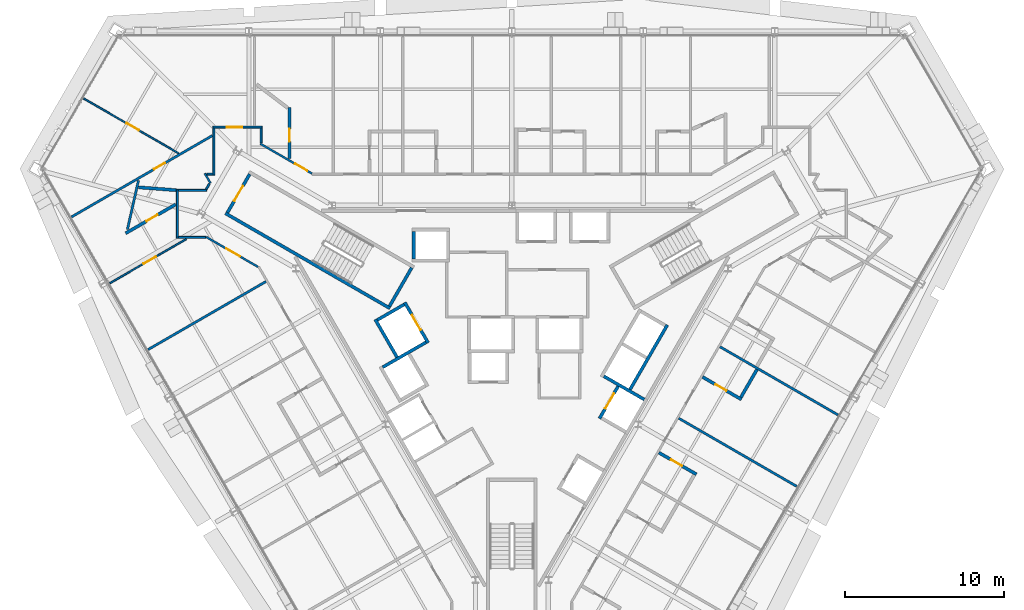
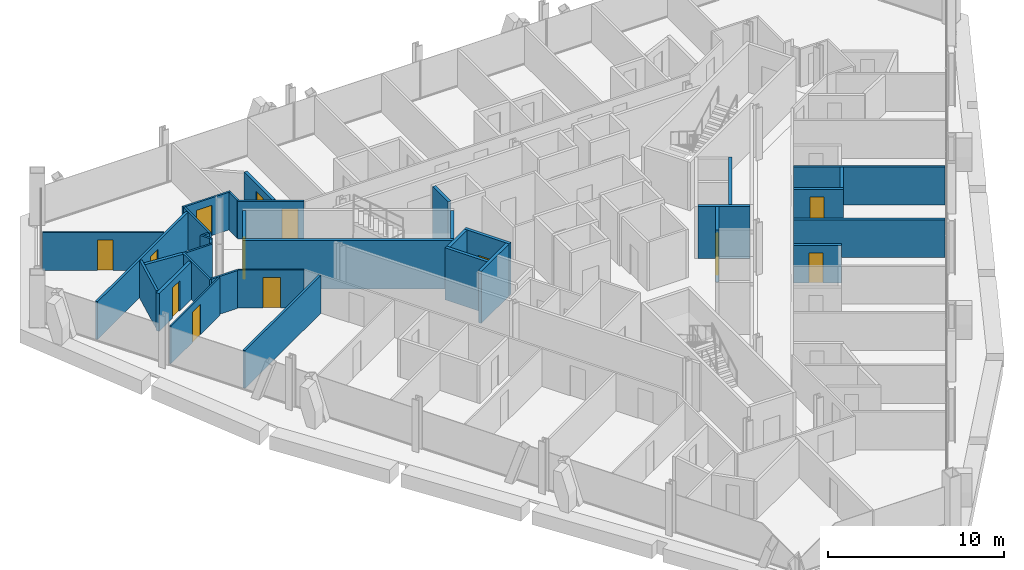
# One storey, part 12 of 17: 35 walls, 13 doors, 13 openings.
"""IFC4 building model written with IfcOpenShell, lengths in metres."""

from ifc_helpers import new_model, si_unit, direction, frame, frame_2d, origin, place, context, subcontext, project, spatial, rectangle, extrude, material, layer, layer_set, type_object, element, fill, save


model = new_model("IFC4")

# Units and contexts
model_context = context("Model", 3, precision=1e-05, world=origin(), true_north=direction((0.0, 1.0)))
body_context = subcontext(model_context, "Body", "Model", "MODEL_VIEW")
ifc_project = project(units=[si_unit("LENGTHUNIT", "METRE"), si_unit("AREAUNIT", "SQUARE_METRE"), si_unit("VOLUMEUNIT", "CUBIC_METRE"), si_unit("PLANEANGLEUNIT", "RADIAN"), si_unit("MASSUNIT", "GRAM", prefix="KILO")], contexts=[model_context])

# Site, building, storey
site_placement = place(None, origin())
site = spatial("IfcSite", under=ifc_project, at=site_placement, CompositionType="ELEMENT")
building_placement = place(site_placement, origin())
building = spatial("IfcBuilding", under=site, at=building_placement, Name="Verrane Prism Tower", CompositionType="ELEMENT")
storey_placement = place(building_placement, frame((0.0, 0.0, 136.0)))
storey = spatial("IfcBuildingStorey", under=building, at=storey_placement, Name="L33", CompositionType="ELEMENT", Elevation=136.0)

# Wall, opening, door
ifc_material_1 = material(Name="Concrete C40/50", Category="concrete")
ifc_layer_1 = layer(ifc_material_1, 0.199951171875)
ifc_layer_set_1 = layer_set([ifc_layer_1], Name="CW-200 stair core wall concrete C40/50 3 h")
wall_type_1 = type_object("IfcWallType", Name="CW-200 stair core wall concrete C40/50 3 h", PredefinedType="PARTITIONING", material=ifc_layer_set_1)
wall_1_placement = place(storey_placement, frame((-16.533935546875, 11.162353515625, 0.0), z_axis=(0.0, 0.0, 1.0), x_axis=(-0.49998411664, -0.866034573852, 0.0)))
wall_1 = element("IfcWall", 1, at=wall_1_placement, inside=storey, type_object=wall_type_1, Name="Stair 2 enclosure wall", PredefinedType="PARTITIONING", context=body_context, shape_type="SweptSolid", body=[
    extrude(rectangle(XDim=2.7998046875, YDim=0.199951171875, at=frame_2d((1.39990234375, 0.0))), origin(), (0.0, 0.0, 1.0), 3.35009765625),
])
opening_1_placement = place(wall_1_placement, frame((0.849853515625, 0.0, 0.0)))
opening_1 = element("IfcOpeningElement", 2, at=opening_1_placement, cuts=wall_1, Name="Opening D32501", PredefinedType="OPENING", context=body_context, shape_type="SweptSolid", body=[
    extrude(rectangle(XDim=1.10009765625, YDim=2.10009765625, at=frame_2d((0.550048828125, 1.050048828125))), frame((0.0, 0.10986328125, 0.0), z_axis=(0.0, -1.0, 0.0), x_axis=(1.0, 0.0, 0.0)), (0.0, 0.0, 1.0), 0.219970703125),
])
ifc_material_2 = material(Name="Timber veneered door leaf", Category="wood")
door_type_1 = type_object("IfcDoorType", Name="DR-1100x2100 FD90 single leaf stair", OperationType="NOTDEFINED", PredefinedType="DOOR", material=ifc_material_2)
door_1_placement = place(opening_1_placement, origin())
door_1 = element("IfcDoor", 3, at=door_1_placement, inside=storey, type_object=door_type_1, Name="Stair 2 door", OperationType="SINGLE_SWING_RIGHT", OverallHeight=2.10009765625, OverallWidth=1.10009765625, PredefinedType="DOOR", context=body_context, shape_type="SweptSolid", body=[
    extrude(rectangle(XDim=1.10009765625, YDim=2.10009765625, at=frame_2d((0.550048828125, 1.050048828125))), frame((0.0, 0.02490234375, 0.0), z_axis=(0.0, -1.0, 0.0), x_axis=(1.0, 0.0, 0.0)), (0.0, 0.0, 1.0), 0.050048828125),
])
fill(opening_1, door_1)

# Walls
wall_2_placement = place(storey_placement, frame((-7.67822265625, 2.700927734375, 0.0), z_axis=(0.0, 0.0, 1.0), x_axis=(-0.866026010844, 0.49999894854, 0.0)))
element("IfcWall", 4, at=wall_2_placement, inside=storey, type_object=wall_type_1, Name="Stair 2 enclosure wall", PredefinedType="PARTITIONING", context=body_context, shape_type="SweptSolid", body=[
    extrude(rectangle(XDim=12.0, YDim=0.199951171875, at=frame_2d((6.0, 0.0))), origin(), (0.0, 0.0, 1.0), 3.35009765625),
])
wall_3_placement = place(storey_placement, frame((-6.314697265625, 5.262451171875, 0.0), z_axis=(0.0, 0.0, 1.0), x_axis=(-0.500049511043, -0.865996816683, 0.0)))
element("IfcWall", 5, at=wall_3_placement, inside=storey, type_object=wall_type_1, Name="Stair 2 enclosure wall", PredefinedType="PARTITIONING", context=body_context, shape_type="SweptSolid", body=[
    extrude(rectangle(XDim=2.800048828125, YDim=0.199951171875, at=frame_2d((1.39990234375, 0.0))), origin(), (0.0, 0.0, 1.0), 3.35009765625),
])
ifc_material_3 = material(Name="Gypsum board shaft wall assembly", Category="other")
ifc_layer_2 = layer(ifc_material_3, 0.199951171875)
ifc_layer_set_2 = layer_set([ifc_layer_2], Name="HW-200 lift shaft wall 2 h")
wall_type_2 = type_object("IfcWallType", Name="HW-200 lift shaft wall 2 h", PredefinedType="PARTITIONING", material=ifc_layer_set_2)
wall_4_placement = place(storey_placement, frame((-8.14453125, -1.012939453125, 0.0), z_axis=(0.0, 0.0, 1.0), x_axis=(0.866016494683, 0.500015430699, 0.0)))
element("IfcWall", 6, at=wall_4_placement, inside=storey, type_object=wall_type_2, Name="Lift shaft wall", PredefinedType="PARTITIONING", context=body_context, shape_type="SweptSolid", body=[
    extrude(rectangle(XDim=3.14990234375, YDim=0.199951171875, at=frame_2d((1.574951171875, 0.0))), origin(), (0.0, 0.0, 1.0), 3.60009765625),
])
wall_5_placement = place(storey_placement, frame((-8.48046875, 1.968505859375, 0.0), z_axis=(0.0, 0.0, 1.0), x_axis=(0.866000020948, 0.500043961785, 0.0)))
element("IfcWall", 7, at=wall_5_placement, inside=storey, type_object=wall_type_2, Name="Lift shaft wall", PredefinedType="PARTITIONING", context=body_context, shape_type="SweptSolid", body=[
    extrude(rectangle(XDim=1.949951171875, YDim=0.199951171875, at=frame_2d((0.97509765625, 0.0))), origin(), (0.0, 0.0, 1.0), 3.60009765625),
])
wall_6_placement = place(storey_placement, frame((7.451171875, -2.4140625, 0.0), z_axis=(0.0, 0.0, 1.0), x_axis=(0.500016218704, 0.866016039709, 0.0)))
element("IfcWall", 8, at=wall_6_placement, inside=storey, type_object=wall_type_2, Name="Lift shaft wall", PredefinedType="PARTITIONING", context=body_context, shape_type="SweptSolid", body=[
    extrude(rectangle(XDim=4.699951171875, YDim=0.199951171875, at=frame_2d((2.35009765625, 0.0))), origin(), (0.0, 0.0, 1.0), 3.60009765625),
])

# Wall, opening, door
wall_7_placement = place(storey_placement, frame((5.52685546875, -4.247314453125, 0.0), z_axis=(0.0, 0.0, 1.0), x_axis=(0.499938297808, 0.866061024631, 0.0)))
wall_7 = element("IfcWall", 9, at=wall_7_placement, inside=storey, type_object=wall_type_2, Name="Lift shaft wall", PredefinedType="PARTITIONING", context=body_context, shape_type="SweptSolid", body=[
    extrude(rectangle(XDim=2.349853515625, YDim=0.199951171875, at=frame_2d((1.1748046875, 0.0))), origin(), (0.0, 0.0, 1.0), 3.60009765625),
])
opening_2_placement = place(wall_7_placement, frame((0.72509765625, 0.0, 0.0)))
opening_2 = element("IfcOpeningElement", 10, at=opening_2_placement, cuts=wall_7, Name="Opening D32507", PredefinedType="OPENING", context=body_context, shape_type="SweptSolid", body=[
    extrude(rectangle(XDim=1.10009765625, YDim=2.10009765625, at=frame_2d((0.550048828125, 1.050048828125))), frame((0.0, 0.10986328125, 0.0), z_axis=(0.0, -1.0, 0.0), x_axis=(1.0, 0.0, 0.0)), (0.0, 0.0, 1.0), 0.219970703125),
])
ifc_material_4 = material(Name="Stainless steel sliding landing door", Category="steel")
door_type_2 = type_object("IfcDoorType", Name="LD-1100x2100 lift landing door FD90 sliding", OperationType="NOTDEFINED", PredefinedType="DOOR", material=ifc_material_4)
door_2_placement = place(opening_2_placement, origin())
door_2 = element("IfcDoor", 11, at=door_2_placement, inside=storey, type_object=door_type_2, Name="Bank A lift 5 landing door", OperationType="SLIDING_TO_LEFT", OverallHeight=2.10009765625, OverallWidth=1.10009765625, PredefinedType="DOOR", context=body_context, shape_type="SweptSolid", body=[
    extrude(rectangle(XDim=1.10009765625, YDim=2.10009765625, at=frame_2d((0.550048828125, 1.050048828125))), frame((0.0, 0.02490234375, 0.0), z_axis=(0.0, -1.0, 0.0), x_axis=(1.0, 0.0, 0.0)), (0.0, 0.0, 1.0), 0.050048828125),
])
fill(opening_2, door_2)

# Wall
wall_8_placement = place(storey_placement, frame((-6.18505859375, 5.81005859375, 0.0), z_axis=(0.0, 0.0, 1.0), x_axis=(0.0, 1.0, 0.0)))
element("IfcWall", 12, at=wall_8_placement, inside=storey, type_object=wall_type_2, Name="Lift shaft wall", PredefinedType="PARTITIONING", context=body_context, shape_type="SweptSolid", body=[
    extrude(rectangle(XDim=1.75, YDim=0.199951171875, at=frame_2d((0.875, 0.0))), origin(), (0.0, 0.0, 1.0), 3.60009765625),
])

# Wall, opening, door
wall_9_placement = place(storey_placement, frame((-5.280029296875, 0.525390625, 0.0), z_axis=(0.0, 0.0, 1.0), x_axis=(-0.500037662692, 0.866003658127, 0.0)))
wall_9 = element("IfcWall", 13, at=wall_9_placement, inside=storey, type_object=wall_type_2, Name="Lift shaft wall", PredefinedType="PARTITIONING", context=body_context, shape_type="SweptSolid", body=[
    extrude(rectangle(XDim=2.949951171875, YDim=0.199951171875, at=frame_2d((1.47509765625, 0.0))), origin(), (0.0, 0.0, 1.0), 3.60009765625),
])
opening_3_placement = place(wall_9_placement, frame((0.925048828125, 0.0, 0.0)))
opening_3 = element("IfcOpeningElement", 14, at=opening_3_placement, cuts=wall_9, Name="Opening D32510", PredefinedType="OPENING", context=body_context, shape_type="SweptSolid", body=[
    extrude(rectangle(XDim=1.10009765625, YDim=2.10009765625, at=frame_2d((0.550048828125, 1.050048828125))), frame((0.0, 0.10986328125, 0.0), z_axis=(0.0, -1.0, 0.0), x_axis=(1.0, 0.0, 0.0)), (0.0, 0.0, 1.0), 0.219970703125),
])
door_3_placement = place(opening_3_placement, origin())
door_3 = element("IfcDoor", 15, at=door_3_placement, inside=storey, type_object=door_type_2, Name="Service lift 1 landing door", OperationType="SLIDING_TO_LEFT", OverallHeight=2.10009765625, OverallWidth=1.10009765625, PredefinedType="DOOR", context=body_context, shape_type="SweptSolid", body=[
    extrude(rectangle(XDim=1.10009765625, YDim=2.10009765625, at=frame_2d((0.550048828125, 1.050048828125))), frame((0.0, 0.02490234375, 0.0), z_axis=(0.0, -1.0, 0.0), x_axis=(1.0, 0.0, 0.0)), (0.0, 0.0, 1.0), 0.050048828125),
])
fill(opening_3, door_3)

# Walls
wall_10_placement = place(storey_placement, frame((-7.241943359375, -0.37646484375, 0.0), z_axis=(0.0, 0.0, 1.0), x_axis=(-0.499996545922, 0.866027397988, 0.0)))
element("IfcWall", 16, at=wall_10_placement, inside=storey, type_object=wall_type_2, Name="Lift shaft wall", PredefinedType="PARTITIONING", context=body_context, shape_type="SweptSolid", body=[
    extrude(rectangle(XDim=2.75, YDim=0.199951171875, at=frame_2d((1.375, 0.0))), origin(), (0.0, 0.0, 1.0), 3.60009765625),
])
wall_11_placement = place(storey_placement, frame((8.35400390625, -3.050537109375, 0.0), z_axis=(0.0, 0.0, 1.0), x_axis=(-0.866060182126, 0.499939757307, 0.0)))
element("IfcWall", 17, at=wall_11_placement, inside=storey, type_object=wall_type_2, Name="Lift shaft wall", PredefinedType="PARTITIONING", context=body_context, shape_type="SweptSolid", body=[
    extrude(rectangle(XDim=2.949951171875, YDim=0.199951171875, at=frame_2d((1.47509765625, 0.0))), origin(), (0.0, 0.0, 1.0), 3.60009765625),
])

# Wall, opening, door
ifc_material_5 = material(Name="Gypsum board partition", Category="other")
ifc_layer_3 = layer(ifc_material_5, 0.10009765625)
ifc_layer_set_3 = layer_set([ifc_layer_3], Name="PW-100 room partition")
wall_type_3 = type_object("IfcWallType", Name="PW-100 room partition", PredefinedType="PARTITIONING", material=ifc_layer_set_3)
wall_12_placement = place(storey_placement, frame((-21.01708984375, 12.480712890625, 0.0), z_axis=(0.0, 0.0, 1.0), x_axis=(-0.866004044806, 0.500036993012, 0.0)))
wall_12 = element("IfcWall", 18, at=wall_12_placement, inside=storey, type_object=wall_type_3, Name="Room partition 002", PredefinedType="PARTITIONING", context=body_context, shape_type="SweptSolid", body=[
    extrude(rectangle(XDim=6.89794921875, YDim=0.10009765625, at=frame_2d((3.448974609375, 0.0))), origin(), (0.0, 0.0, 1.0), 2.613037109375),
])
opening_4_placement = place(wall_12_placement, frame((2.89404296875, 0.0, 0.0)))
opening_4 = element("IfcOpeningElement", 19, at=opening_4_placement, cuts=wall_12, Name="Opening D32032", PredefinedType="OPENING", context=body_context, shape_type="SweptSolid", body=[
    extrude(rectangle(XDim=0.89990234375, YDim=2.10009765625, at=frame_2d((0.449951171875, 1.050048828125))), frame((0.0, 0.06005859375, 0.0), z_axis=(0.0, -1.0, 0.0), x_axis=(1.0, 0.0, 0.0)), (0.0, 0.0, 1.0), 0.1201171875),
])
ifc_material_6 = material(Name="Timber veneered door leaf", Category="wood")
door_type_3 = type_object("IfcDoorType", Name="DR-900x2100 single leaf inner", OperationType="NOTDEFINED", PredefinedType="DOOR", material=ifc_material_6)
door_4_placement = place(opening_4_placement, origin())
door_4 = element("IfcDoor", 20, at=door_4_placement, inside=storey, type_object=door_type_3, Name="Suite Living Room door", OperationType="SINGLE_SWING_LEFT", OverallHeight=2.10009765625, OverallWidth=0.89990234375, PredefinedType="DOOR", context=body_context, shape_type="SweptSolid", body=[
    extrude(rectangle(XDim=0.89990234375, YDim=2.10009765625, at=frame_2d((0.449951171875, 1.050048828125))), frame((0.0, 0.02490234375, 0.0), z_axis=(0.0, -1.0, 0.0), x_axis=(1.0, 0.0, 0.0)), (0.0, 0.0, 1.0), 0.050048828125),
])
fill(opening_4, door_4)

wall_13_placement = place(storey_placement, frame((-25.354248046875, 4.28466796875, 0.0), z_axis=(0.0, 0.0, 1.0), x_axis=(0.866012427413, 0.500022475061, 0.0)))
wall_13 = element("IfcWall", 21, at=wall_13_placement, inside=storey, type_object=wall_type_3, Name="Room partition 003", PredefinedType="PARTITIONING", context=body_context, shape_type="SweptSolid", body=[
    extrude(rectangle(XDim=5.564697265625, YDim=0.10009765625, at=frame_2d((2.7822265625, 0.0))), origin(), (0.0, 0.0, 1.0), 2.613037109375),
])
opening_5_placement = place(wall_13_placement, frame((2.45458984375, 0.0, 0.0)))
opening_5 = element("IfcOpeningElement", 22, at=opening_5_placement, cuts=wall_13, Name="Opening D32035", PredefinedType="OPENING", context=body_context, shape_type="SweptSolid", body=[
    extrude(rectangle(XDim=0.89990234375, YDim=2.10009765625, at=frame_2d((0.449951171875, 1.050048828125))), frame((0.0, 0.06005859375, 0.0), z_axis=(0.0, -1.0, 0.0), x_axis=(1.0, 0.0, 0.0)), (0.0, 0.0, 1.0), 0.1201171875),
])
door_5_placement = place(opening_5_placement, origin())
door_5 = element("IfcDoor", 23, at=door_5_placement, inside=storey, type_object=door_type_3, Name="Suite Living Room door", OperationType="SINGLE_SWING_LEFT", OverallHeight=2.10009765625, OverallWidth=0.89990234375, PredefinedType="DOOR", context=body_context, shape_type="SweptSolid", body=[
    extrude(rectangle(XDim=0.89990234375, YDim=2.10009765625, at=frame_2d((0.449951171875, 1.050048828125))), frame((0.0, 0.02490234375, 0.0), z_axis=(0.0, -1.0, 0.0), x_axis=(1.0, 0.0, 0.0)), (0.0, 0.0, 1.0), 0.050048828125),
])
fill(opening_5, door_5)

# Walls
ifc_material_7 = material(Name="Gypsum board partition", Category="other")
ifc_layer_4 = layer(ifc_material_7, 0.125)
ifc_layer_set_4 = layer_set([ifc_layer_4], Name="PW-125 corridor wall 1 h")
wall_type_4 = type_object("IfcWallType", Name="PW-125 corridor wall 1 h", PredefinedType="PARTITIONING", material=ifc_layer_set_4)
wall_14_placement = place(storey_placement, frame((-21.0869140625, 7.110595703125, 0.0), z_axis=(0.0, 0.0, 1.0), x_axis=(0.0, 1.0, 0.0)))
element("IfcWall", 24, at=wall_14_placement, inside=storey, type_object=wall_type_4, Name="Corridor wall 008", PredefinedType="PARTITIONING", context=body_context, shape_type="SweptSolid", body=[
    extrude(rectangle(XDim=3.098876953125, YDim=0.125, at=frame_2d((1.54931640625, 0.0))), origin(), (0.0, 0.0, 1.0), 2.613037109375),
])
wall_15_placement = place(storey_placement, frame((-21.02197265625, 7.173095703125, 0.0), z_axis=(0.0, 0.0, 1.0), x_axis=(1.0, 0.0, 0.0)))
element("IfcWall", 25, at=wall_15_placement, inside=storey, type_object=wall_type_4, Name="Corridor wall 009", PredefinedType="PARTITIONING", context=body_context, shape_type="SweptSolid", body=[
    extrude(rectangle(XDim=1.712890625, YDim=0.125, at=frame_2d((0.8564453125, 0.0))), origin(), (0.0, 0.0, 1.0), 2.613037109375),
])
wall_16_placement = place(storey_placement, frame((-21.02197265625, 10.14697265625, 0.0), z_axis=(0.0, 0.0, 1.0), x_axis=(1.0, 0.0, 0.0)))
element("IfcWall", 26, at=wall_16_placement, inside=storey, type_object=wall_type_4, Name="Corridor wall 010", PredefinedType="PARTITIONING", context=body_context, shape_type="SweptSolid", body=[
    extrude(rectangle(XDim=1.7705078125, YDim=0.125, at=frame_2d((0.88525390625, 0.0))), origin(), (0.0, 0.0, 1.0), 2.613037109375),
])
wall_17_placement = place(storey_placement, frame((-19.3623046875, 11.215087890625, 0.0), z_axis=(0.0, 0.0, 1.0), x_axis=(0.499712769023, -0.866191173169, 0.0)))
element("IfcWall", 27, at=wall_17_placement, inside=storey, type_object=wall_type_4, Name="Corridor wall 012", PredefinedType="PARTITIONING", context=body_context, shape_type="SweptSolid", body=[
    extrude(rectangle(XDim=0.7275390625, YDim=0.125, at=frame_2d((0.36376953125, 0.0))), origin(), (0.0, 0.0, 1.0), 2.613037109375),
])
wall_18_placement = place(storey_placement, frame((-19.22607421875, 11.160888671875, 0.0), z_axis=(0.0, 0.0, 1.0), x_axis=(1.0, 0.0, 0.0)))
element("IfcWall", 28, at=wall_18_placement, inside=storey, type_object=wall_type_4, Name="Corridor wall 013", PredefinedType="PARTITIONING", context=body_context, shape_type="SweptSolid", body=[
    extrude(rectangle(XDim=0.3740234375, YDim=0.125, at=frame_2d((0.18701171875, 0.0))), origin(), (0.0, 0.0, 1.0), 2.613037109375),
])
wall_19_placement = place(storey_placement, frame((-19.271484375, 10.220703125, 0.0), z_axis=(0.0, 0.0, 1.0), x_axis=(0.499899443193, 0.866083452501, 0.0)))
element("IfcWall", 29, at=wall_19_placement, inside=storey, type_object=wall_type_4, Name="Corridor wall 014", PredefinedType="PARTITIONING", context=body_context, shape_type="SweptSolid", body=[
    extrude(rectangle(XDim=0.39794921875, YDim=0.125, at=frame_2d((0.198974609375, 0.0))), origin(), (0.0, 0.0, 1.0), 2.613037109375),
])

# Wall, opening, door
wall_20_placement = place(storey_placement, frame((-16.004638671875, 5.314453125, 0.0), z_axis=(0.0, 0.0, 1.0), x_axis=(-0.866028547684, 0.499994554566, 0.0)))
wall_20 = element("IfcWall", 30, at=wall_20_placement, inside=storey, type_object=wall_type_4, Name="Corridor wall 015", PredefinedType="PARTITIONING", context=body_context, shape_type="SweptSolid", body=[
    extrude(rectangle(XDim=3.77978515625, YDim=0.125, at=frame_2d((1.889892578125, 0.0))), origin(), (0.0, 0.0, 1.0), 2.613037109375),
])
opening_6_placement = place(wall_20_placement, frame((1.3173828125, 0.0, 0.0)))
opening_6 = element("IfcOpeningElement", 31, at=opening_6_placement, cuts=wall_20, Name="Opening D32034", PredefinedType="OPENING", context=body_context, shape_type="SweptSolid", body=[
    extrude(rectangle(XDim=1.0, YDim=2.10009765625, at=frame_2d((0.5, 1.050048828125))), frame((0.0, 0.072509765625, 0.0), z_axis=(0.0, -1.0, 0.0), x_axis=(1.0, 0.0, 0.0)), (0.0, 0.0, 1.0), 0.14501953125),
])
ifc_material_8 = material(Name="Timber veneered door leaf", Category="wood")
door_type_4 = type_object("IfcDoorType", Name="DR-1000x2100 FD20 single leaf unit", OperationType="NOTDEFINED", PredefinedType="DOOR", material=ifc_material_8)
door_6_placement = place(opening_6_placement, origin())
door_6 = element("IfcDoor", 32, at=door_6_placement, inside=storey, type_object=door_type_4, Name="Suite Living Room door", OperationType="SINGLE_SWING_LEFT", OverallHeight=2.10009765625, OverallWidth=1.0, PredefinedType="DOOR", context=body_context, shape_type="SweptSolid", body=[
    extrude(rectangle(XDim=1.0, YDim=2.10009765625, at=frame_2d((0.5, 1.050048828125))), frame((0.0, 0.02490234375, 0.0), z_axis=(0.0, -1.0, 0.0), x_axis=(1.0, 0.0, 0.0)), (0.0, 0.0, 1.0), 0.050048828125),
])
fill(opening_6, door_6)

# Wall
wall_21_placement = place(storey_placement, frame((-18.787109375, 11.098388671875, 0.0), z_axis=(0.0, 0.0, 1.0), x_axis=(0.0, 1.0, 0.0)))
element("IfcWall", 33, at=wall_21_placement, inside=storey, type_object=wall_type_4, Name="Corridor wall 016", PredefinedType="PARTITIONING", context=body_context, shape_type="SweptSolid", body=[
    extrude(rectangle(XDim=2.963623046875, YDim=0.125, at=frame_2d((1.48193359375, 0.0))), origin(), (0.0, 0.0, 1.0), 2.613037109375),
])

# Wall, opening, door
wall_22_placement = place(storey_placement, frame((-18.849609375, 14.126953125, 0.0), z_axis=(0.0, 0.0, 1.0), x_axis=(1.0, 0.0, 0.0)))
wall_22 = element("IfcWall", 34, at=wall_22_placement, inside=storey, type_object=wall_type_4, Name="Corridor wall 017", PredefinedType="PARTITIONING", context=body_context, shape_type="SweptSolid", body=[
    extrude(rectangle(XDim=3.09912109375, YDim=0.125, at=frame_2d((1.549560546875, 0.0))), origin(), (0.0, 0.0, 1.0), 2.613037109375),
])
opening_7_placement = place(wall_22_placement, frame((0.862548828125, 0.0, 0.0)))
opening_7 = element("IfcOpeningElement", 35, at=opening_7_placement, cuts=wall_22, Name="Opening D32031", PredefinedType="OPENING", context=body_context, shape_type="SweptSolid", body=[
    extrude(rectangle(XDim=1.0, YDim=2.10009765625, at=frame_2d((0.5, 1.050048828125))), frame((0.0, 0.072509765625, 0.0), z_axis=(0.0, -1.0, 0.0), x_axis=(1.0, 0.0, 0.0)), (0.0, 0.0, 1.0), 0.14501953125),
])
door_7_placement = place(opening_7_placement, origin())
door_7 = element("IfcDoor", 36, at=door_7_placement, inside=storey, type_object=door_type_4, Name="Suite Living Room door", OperationType="SINGLE_SWING_LEFT", OverallHeight=2.10009765625, OverallWidth=1.0, PredefinedType="DOOR", context=body_context, shape_type="SweptSolid", body=[
    extrude(rectangle(XDim=1.0, YDim=2.10009765625, at=frame_2d((0.5, 1.050048828125))), frame((0.0, 0.02490234375, 0.0), z_axis=(0.0, -1.0, 0.0), x_axis=(1.0, 0.0, 0.0)), (0.0, 0.0, 1.0), 0.050048828125),
])
fill(opening_7, door_7)

# Wall
wall_23_placement = place(storey_placement, frame((-15.81298828125, 13.139892578125, 0.0), z_axis=(0.0, 0.0, 1.0), x_axis=(0.0, 1.0, 0.0)))
element("IfcWall", 37, at=wall_23_placement, inside=storey, type_object=wall_type_4, Name="Corridor wall 022", PredefinedType="PARTITIONING", context=body_context, shape_type="SweptSolid", body=[
    extrude(rectangle(XDim=0.922119140625, YDim=0.125, at=frame_2d((0.4609375, 0.0))), origin(), (0.0, 0.0, 1.0), 2.613037109375),
])

# Wall, opening, door
wall_24_placement = place(storey_placement, frame((-15.8671875, 13.086181640625, 0.0), z_axis=(0.0, 0.0, 1.0), x_axis=(0.866113281362, -0.499847760672, 0.0)))
wall_24 = element("IfcWall", 38, at=wall_24_placement, inside=storey, type_object=wall_type_4, Name="Corridor wall 023", PredefinedType="PARTITIONING", context=body_context, shape_type="SweptSolid", body=[
    extrude(rectangle(XDim=3.766845703125, YDim=0.125, at=frame_2d((1.88330078125, 0.0))), origin(), (0.0, 0.0, 1.0), 2.613037109375),
])
opening_8_placement = place(wall_24_placement, frame((2.525390625, 0.0, 0.0)))
opening_8 = element("IfcOpeningElement", 39, at=opening_8_placement, cuts=wall_24, Name="Opening D32029", PredefinedType="OPENING", context=body_context, shape_type="SweptSolid", body=[
    extrude(rectangle(XDim=0.89990234375, YDim=2.10009765625, at=frame_2d((0.449951171875, 1.050048828125))), frame((0.0, 0.072509765625, 0.0), z_axis=(0.0, -1.0, 0.0), x_axis=(1.0, 0.0, 0.0)), (0.0, 0.0, 1.0), 0.14501953125),
])
ifc_material_9 = material(Name="Timber veneered door leaf", Category="wood")
door_type_5 = type_object("IfcDoorType", Name="DR-900x2100 FD20 single leaf unit", OperationType="NOTDEFINED", PredefinedType="DOOR", material=ifc_material_9)
door_8_placement = place(opening_8_placement, origin())
door_8 = element("IfcDoor", 40, at=door_8_placement, inside=storey, type_object=door_type_5, Name="Guest Room door", OperationType="SINGLE_SWING_LEFT", OverallHeight=2.10009765625, OverallWidth=0.89990234375, PredefinedType="DOOR", context=body_context, shape_type="SweptSolid", body=[
    extrude(rectangle(XDim=0.89990234375, YDim=2.10009765625, at=frame_2d((0.449951171875, 1.050048828125))), frame((0.0, 0.02490234375, 0.0), z_axis=(0.0, -1.0, 0.0), x_axis=(1.0, 0.0, 0.0)), (0.0, 0.0, 1.0), 0.050048828125),
])
fill(opening_8, door_8)

ifc_material_10 = material(Name="Gypsum board partition", Category="other")
ifc_layer_5 = layer(ifc_material_10, 0.14990234375)
ifc_layer_set_5 = layer_set([ifc_layer_5], Name="PW-150 demising wall 1 h")
wall_type_5 = type_object("IfcWallType", Name="PW-150 demising wall 1 h", PredefinedType="PARTITIONING", material=ifc_layer_set_5)
wall_25_placement = place(storey_placement, frame((-18.886962890625, 13.59423828125, 0.0), z_axis=(0.0, 0.0, 1.0), x_axis=(-0.866056355607, -0.499946386039, 0.0)))
wall_25 = element("IfcWall", 41, at=wall_25_placement, inside=storey, type_object=wall_type_5, Name="Demising wall 001", PredefinedType="PARTITIONING", context=body_context, shape_type="SweptSolid", body=[
    extrude(rectangle(XDim=10.255615234375, YDim=0.14990234375, at=frame_2d((5.1279296875, 0.0))), origin(), (0.0, 0.0, 1.0), 2.613037109375),
])
opening_9_placement = place(wall_25_placement, frame((3.4345703125, 0.0, 0.0)))
opening_9 = element("IfcOpeningElement", 42, at=opening_9_placement, cuts=wall_25, Name="Opening D32033", PredefinedType="OPENING", context=body_context, shape_type="SweptSolid", body=[
    extrude(rectangle(XDim=0.800048828125, YDim=2.10009765625, at=frame_2d((0.39990234375, 1.050048828125))), frame((0.0, 0.0849609375, 0.0), z_axis=(0.0, -1.0, 0.0), x_axis=(1.0, 0.0, 0.0)), (0.0, 0.0, 1.0), 0.169921875),
])
ifc_material_11 = material(Name="Timber veneered door leaf", Category="wood")
door_type_6 = type_object("IfcDoorType", Name="DR-800x2100 single leaf bath", OperationType="NOTDEFINED", PredefinedType="DOOR", material=ifc_material_11)
door_9_placement = place(opening_9_placement, origin())
door_9 = element("IfcDoor", 43, at=door_9_placement, inside=storey, type_object=door_type_6, Name="En-Suite door", OperationType="SINGLE_SWING_RIGHT", OverallHeight=2.10009765625, OverallWidth=0.800048828125, PredefinedType="DOOR", context=body_context, shape_type="SweptSolid", body=[
    extrude(rectangle(XDim=0.800048828125, YDim=2.10009765625, at=frame_2d((0.39990234375, 1.050048828125))), frame((0.0, 0.02490234375, 0.0), z_axis=(0.0, -1.0, 0.0), x_axis=(1.0, 0.0, 0.0)), (0.0, 0.0, 1.0), 0.050048828125),
])
fill(opening_9, door_9)

# Walls
wall_26_placement = place(storey_placement, frame((-24.241943359375, 7.675048828125, 0.0), z_axis=(0.0, 0.0, 1.0), x_axis=(0.220410098175, 0.97540729371, 0.0)))
element("IfcWall", 44, at=wall_26_placement, inside=storey, type_object=wall_type_5, Name="Demising wall 004", PredefinedType="PARTITIONING", context=body_context, shape_type="SweptSolid", body=[
    extrude(rectangle(XDim=3.16357421875, YDim=0.14990234375, at=frame_2d((1.581787109375, 0.0))), origin(), (0.0, 0.0, 1.0), 2.613037109375),
])
wall_27_placement = place(storey_placement, frame((-22.939453125, 0.102294921875, 0.0), z_axis=(0.0, 0.0, 1.0), x_axis=(0.866041729639, 0.499971721724, 0.0)))
element("IfcWall", 45, at=wall_27_placement, inside=storey, type_object=wall_type_5, Name="Demising wall 007", PredefinedType="PARTITIONING", context=body_context, shape_type="SweptSolid", body=[
    extrude(rectangle(XDim=8.59130859375, YDim=0.14990234375, at=frame_2d((4.295654296875, 0.0))), origin(), (0.0, 0.0, 1.0), 2.613037109375),
])
wall_28_placement = place(storey_placement, frame((10.52001953125, -4.226318359375, 0.0), z_axis=(0.0, 0.0, 1.0), x_axis=(0.866002910178, -0.500038958046, 0.0)))
element("IfcWall", 46, at=wall_28_placement, inside=storey, type_object=wall_type_5, Name="Demising wall 069", PredefinedType="PARTITIONING", context=body_context, shape_type="SweptSolid", body=[
    extrude(rectangle(XDim=8.591064453125, YDim=0.14990234375, at=frame_2d((4.29541015625, 0.0))), origin(), (0.0, 0.0, 1.0), 2.613037109375),
])
wall_29_placement = place(storey_placement, frame((13.1220703125, 0.28076171875, 0.0), z_axis=(0.0, 0.0, 1.0), x_axis=(0.866029425019, -0.499993034952, 0.0)))
element("IfcWall", 47, at=wall_29_placement, inside=storey, type_object=wall_type_5, Name="Demising wall 075", PredefinedType="PARTITIONING", context=body_context, shape_type="SweptSolid", body=[
    extrude(rectangle(XDim=8.59130859375, YDim=0.14990234375, at=frame_2d((4.295654296875, 0.0))), origin(), (0.0, 0.0, 1.0), 2.613037109375),
])

# Wall, opening, door
ifc_material_12 = material(Name="Gypsum board partition", Category="other")
ifc_layer_6 = layer(ifc_material_12, 0.199951171875)
ifc_layer_set_6 = layer_set([ifc_layer_6], Name="PW-200 plumbing wall")
wall_type_6 = type_object("IfcWallType", Name="PW-200 plumbing wall", PredefinedType="PARTITIONING", material=ifc_layer_set_6)
wall_30_placement = place(storey_placement, frame((-24.35205078125, 7.4375, 0.0), z_axis=(0.0, 0.0, 1.0), x_axis=(0.866092892036, 0.499883088697, 0.0)))
wall_30 = element("IfcWall", 48, at=wall_30_placement, inside=storey, type_object=wall_type_6, Name="Plumbing wall 005", PredefinedType="PARTITIONING", context=body_context, shape_type="SweptSolid", body=[
    extrude(rectangle(XDim=3.639892578125, YDim=0.199951171875, at=frame_2d((1.81982421875, 0.0))), origin(), (0.0, 0.0, 1.0), 2.613037109375),
])
opening_10_placement = place(wall_30_placement, frame((1.52490234375, 0.0, 0.0)))
opening_10 = element("IfcOpeningElement", 49, at=opening_10_placement, cuts=wall_30, Name="Opening D32036", PredefinedType="OPENING", context=body_context, shape_type="SweptSolid", body=[
    extrude(rectangle(XDim=0.800048828125, YDim=2.10009765625, at=frame_2d((0.39990234375, 1.050048828125))), frame((0.0, 0.10986328125, 0.0), z_axis=(0.0, -1.0, 0.0), x_axis=(1.0, 0.0, 0.0)), (0.0, 0.0, 1.0), 0.219970703125),
])
door_10_placement = place(opening_10_placement, origin())
door_10 = element("IfcDoor", 50, at=door_10_placement, inside=storey, type_object=door_type_6, Name="En-Suite door", OperationType="SINGLE_SWING_RIGHT", OverallHeight=2.10009765625, OverallWidth=0.800048828125, PredefinedType="DOOR", context=body_context, shape_type="SweptSolid", body=[
    extrude(rectangle(XDim=0.800048828125, YDim=2.10009765625, at=frame_2d((0.39990234375, 1.050048828125))), frame((0.0, 0.02490234375, 0.0), z_axis=(0.0, -1.0, 0.0), x_axis=(1.0, 0.0, 0.0)), (0.0, 0.0, 1.0), 0.050048828125),
])
fill(opening_10, door_10)

# Wall
wall_31_placement = place(storey_placement, frame((-23.549560546875, 10.333251953125, 0.0), z_axis=(0.0, 0.0, 1.0), x_axis=(0.997152307641, -0.075414026324, 0.0)))
element("IfcWall", 51, at=wall_31_placement, inside=storey, type_object=wall_type_6, Name="Plumbing wall 006", PredefinedType="PARTITIONING", context=body_context, shape_type="SweptSolid", body=[
    extrude(rectangle(XDim=2.402099609375, YDim=0.199951171875, at=frame_2d((1.201171875, 0.0))), origin(), (0.0, 0.0, 1.0), 2.613037109375),
])

# Wall, opening, door
wall_32_placement = place(storey_placement, frame((-14.02587890625, 12.15380859375, 0.0), z_axis=(0.0, 0.0, 1.0), x_axis=(0.0, 1.0, 0.0)))
wall_32 = element("IfcWall", 52, at=wall_32_placement, inside=storey, type_object=wall_type_6, Name="Plumbing wall 027", PredefinedType="PARTITIONING", context=body_context, shape_type="SweptSolid", body=[
    extrude(rectangle(XDim=3.203125, YDim=0.199951171875, at=frame_2d((1.6015625, 0.0))), origin(), (0.0, 0.0, 1.0), 2.613037109375),
])
opening_11_placement = place(wall_32_placement, frame((1.070068359375, 0.0, 0.0)))
opening_11 = element("IfcOpeningElement", 53, at=opening_11_placement, cuts=wall_32, Name="Opening D32030", PredefinedType="OPENING", context=body_context, shape_type="SweptSolid", body=[
    extrude(rectangle(XDim=0.800048828125, YDim=2.10009765625, at=frame_2d((0.39990234375, 1.050048828125))), frame((0.0, 0.10986328125, 0.0), z_axis=(0.0, -1.0, 0.0), x_axis=(1.0, 0.0, 0.0)), (0.0, 0.0, 1.0), 0.219970703125),
])
door_11_placement = place(opening_11_placement, origin())
door_11 = element("IfcDoor", 54, at=door_11_placement, inside=storey, type_object=door_type_6, Name="En-Suite door", OperationType="SINGLE_SWING_RIGHT", OverallHeight=2.10009765625, OverallWidth=0.800048828125, PredefinedType="DOOR", context=body_context, shape_type="SweptSolid", body=[
    extrude(rectangle(XDim=0.800048828125, YDim=2.10009765625, at=frame_2d((0.39990234375, 1.050048828125))), frame((0.0, 0.02490234375, 0.0), z_axis=(0.0, -1.0, 0.0), x_axis=(1.0, 0.0, 0.0)), (0.0, 0.0, 1.0), 0.050048828125),
])
fill(opening_11, door_11)

wall_33_placement = place(storey_placement, frame((11.638671875, -7.763916015625, 0.0), z_axis=(0.0, 0.0, 1.0), x_axis=(-0.866028150195, 0.499995243048, 0.0)))
wall_33 = element("IfcWall", 55, at=wall_33_placement, inside=storey, type_object=wall_type_6, Name="Plumbing wall 067", PredefinedType="PARTITIONING", context=body_context, shape_type="SweptSolid", body=[
    extrude(rectangle(XDim=2.7373046875, YDim=0.199951171875, at=frame_2d((1.36865234375, 0.0))), origin(), (0.0, 0.0, 1.0), 2.613037109375),
])
opening_12_placement = place(wall_33_placement, frame((1.0498046875, 0.0, 0.0)))
opening_12 = element("IfcOpeningElement", 56, at=opening_12_placement, cuts=wall_33, Name="Opening D32008", PredefinedType="OPENING", context=body_context, shape_type="SweptSolid", body=[
    extrude(rectangle(XDim=0.800048828125, YDim=2.10009765625, at=frame_2d((0.39990234375, 1.050048828125))), frame((0.0, 0.10986328125, 0.0), z_axis=(0.0, -1.0, 0.0), x_axis=(1.0, 0.0, 0.0)), (0.0, 0.0, 1.0), 0.219970703125),
])
door_12_placement = place(opening_12_placement, origin())
door_12 = element("IfcDoor", 57, at=door_12_placement, inside=storey, type_object=door_type_6, Name="En-Suite door", OperationType="SINGLE_SWING_LEFT", OverallHeight=2.10009765625, OverallWidth=0.800048828125, PredefinedType="DOOR", context=body_context, shape_type="SweptSolid", body=[
    extrude(rectangle(XDim=0.800048828125, YDim=2.10009765625, at=frame_2d((0.39990234375, 1.050048828125))), frame((0.0, 0.02490234375, 0.0), z_axis=(0.0, -1.0, 0.0), x_axis=(1.0, 0.0, 0.0)), (0.0, 0.0, 1.0), 0.050048828125),
])
fill(opening_12, door_12)

wall_34_placement = place(storey_placement, frame((12.022216796875, -1.624267578125, 0.0), z_axis=(0.0, 0.0, 1.0), x_axis=(0.866026538634, -0.499998034377, 0.0)))
wall_34 = element("IfcWall", 58, at=wall_34_placement, inside=storey, type_object=wall_type_6, Name="Plumbing wall 073", PredefinedType="PARTITIONING", context=body_context, shape_type="SweptSolid", body=[
    extrude(rectangle(XDim=2.83740234375, YDim=0.199951171875, at=frame_2d((1.418701171875, 0.0))), origin(), (0.0, 0.0, 1.0), 2.613037109375),
])
opening_13_placement = place(wall_34_placement, frame((0.9375, 0.0, 0.0)))
opening_13 = element("IfcOpeningElement", 59, at=opening_13_placement, cuts=wall_34, Name="Opening D32010", PredefinedType="OPENING", context=body_context, shape_type="SweptSolid", body=[
    extrude(rectangle(XDim=0.800048828125, YDim=2.10009765625, at=frame_2d((0.39990234375, 1.050048828125))), frame((0.0, 0.10986328125, 0.0), z_axis=(0.0, -1.0, 0.0), x_axis=(1.0, 0.0, 0.0)), (0.0, 0.0, 1.0), 0.219970703125),
])
door_13_placement = place(opening_13_placement, origin())
door_13 = element("IfcDoor", 60, at=door_13_placement, inside=storey, type_object=door_type_6, Name="En-Suite door", OperationType="SINGLE_SWING_RIGHT", OverallHeight=2.10009765625, OverallWidth=0.800048828125, PredefinedType="DOOR", context=body_context, shape_type="SweptSolid", body=[
    extrude(rectangle(XDim=0.800048828125, YDim=2.10009765625, at=frame_2d((0.39990234375, 1.050048828125))), frame((0.0, 0.02490234375, 0.0), z_axis=(0.0, -1.0, 0.0), x_axis=(1.0, 0.0, 0.0)), (0.0, 0.0, 1.0), 0.050048828125),
])
fill(opening_13, door_13)

# Wall
wall_35_placement = place(storey_placement, frame((14.443115234375, -2.906494140625, 0.0), z_axis=(0.0, 0.0, 1.0), x_axis=(0.500042536776, 0.866000843773, 0.0)))
element("IfcWall", 61, at=wall_35_placement, inside=storey, type_object=wall_type_6, Name="Plumbing wall 078", PredefinedType="PARTITIONING", context=body_context, shape_type="SweptSolid", body=[
    extrude(rectangle(XDim=2.024658203125, YDim=0.199951171875, at=frame_2d((1.01220703125, 0.0))), origin(), (0.0, 0.0, 1.0), 2.613037109375),
])

save(model, "model.ifc")
